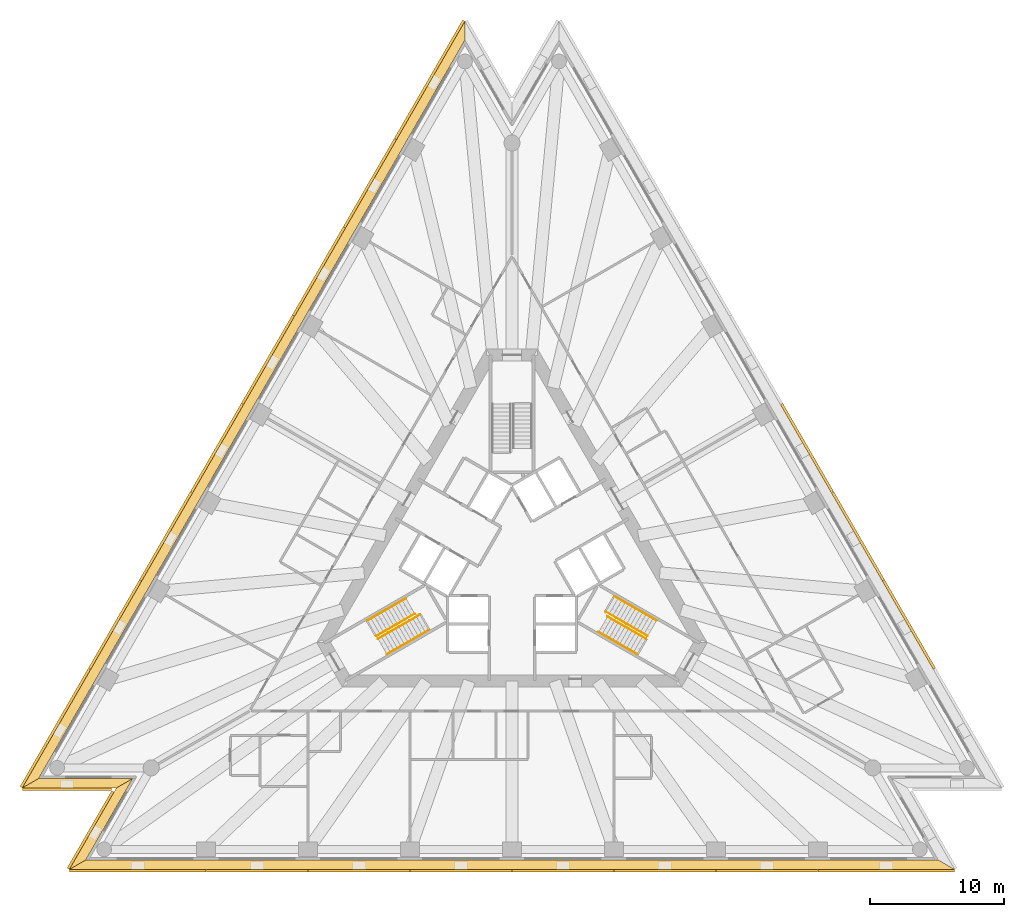
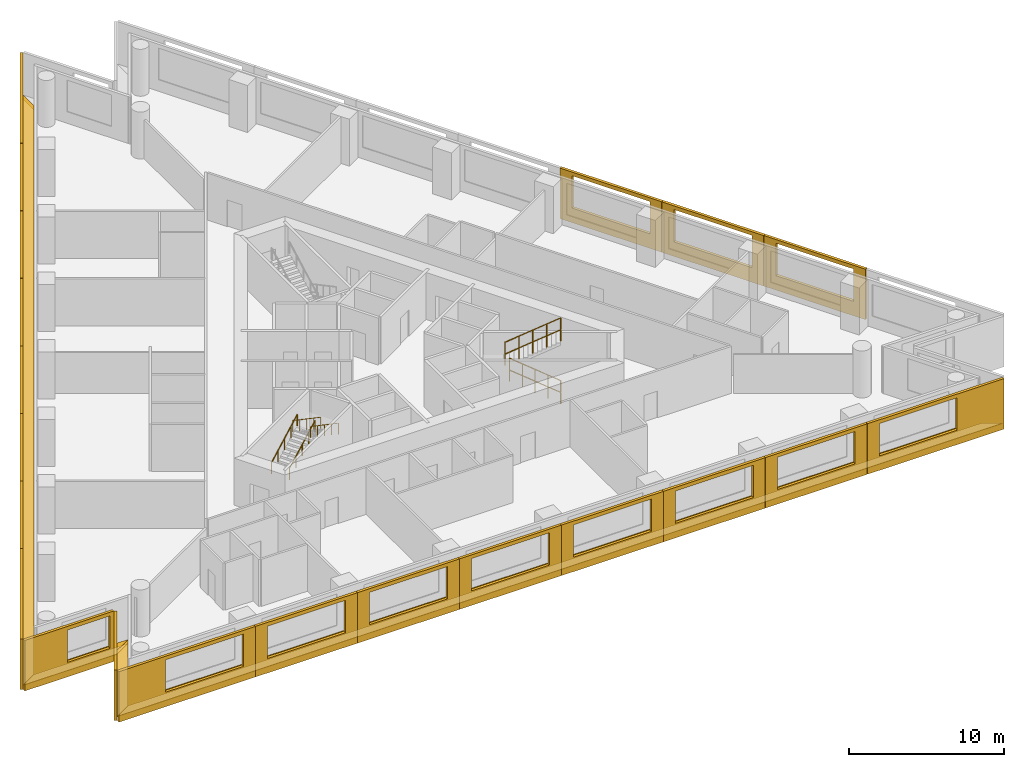
# One storey, part 10 of 11: 25 shading devices, 8 railings, 4 coverings, 2 elements without a shape of their own.
"""IFC4 building model written with IfcOpenShell, lengths in metres."""

from ifc_helpers import new_model, si_unit, direction, frame, origin, origin_2d, place, context, subcontext, project, spatial, polyline, circle, outline, extrude, material, layer, layer_set, layer_usage, type_object, element, aggregate, save


model = new_model("IFC4")

# Units and contexts
model_context = context("Model", 3, precision=1e-05, world=origin(), true_north=direction((0.0, 1.0)))
body_context = subcontext(model_context, "Body", "Model", "MODEL_VIEW")
ifc_project = project(units=[si_unit("LENGTHUNIT", "METRE"), si_unit("AREAUNIT", "SQUARE_METRE"), si_unit("VOLUMEUNIT", "CUBIC_METRE"), si_unit("PLANEANGLEUNIT", "RADIAN"), si_unit("MASSUNIT", "GRAM", prefix="KILO")], contexts=[model_context])

# Site, building, storey
site_placement = place(None, origin())
site = spatial("IfcSite", under=ifc_project, at=site_placement, CompositionType="ELEMENT")
building_placement = place(site_placement, origin())
building = spatial("IfcBuilding", under=site, at=building_placement, Name="Triada Interchange Tower", CompositionType="ELEMENT")
storey_placement = place(building_placement, frame((0.0, 0.0, 39.300048828125)))
storey = spatial("IfcBuildingStorey", under=building, at=storey_placement, Name="L07", CompositionType="ELEMENT", Elevation=39.300048828125)

# Coverings
ifc_material_1 = material(Name="Mineral fire-stop board")
ifc_layer_1 = layer(ifc_material_1, 0.0400390625, Name="Mineral fire-stop board")
ifc_material_2 = material(Name="Intumescent sealant")
ifc_layer_2 = layer(ifc_material_2, 0.010009765625, Name="Intumescent seal")
ifc_layer_set_1 = layer_set([ifc_layer_1, ifc_layer_2], Name="Cavity fire stop")
ifc_layer_usage = layer_usage(ifc_layer_set_1, "AXIS3", "POSITIVE", 0.0)
covering_type = type_object("IfcCoveringType", Name="Cavity fire stop", PredefinedType="INSULATION", material=ifc_layer_set_1)
covering_1_placement = place(storey_placement, origin())
element("IfcCovering", 1, at=covering_1_placement, inside=storey, type_object=covering_type, material=ifc_layer_usage, Name="Cavity fire stop L07 NW", PredefinedType="INSULATION", context=body_context, shape_type="SweptSolid", body=[
    extrude(outline(polyline([(-3.507080078125, 38.72509765625), (-3.507080078125, 40.125), (-36.5029296875, -17.02490234375), (-35.291015625, -16.324951171875), (-3.507080078125, 38.72509765625)])), origin(), (0.0, 0.0, 1.0), 0.050048828125),
])
covering_2_placement = place(storey_placement, origin())
element("IfcCovering", 2, at=covering_2_placement, inside=storey, type_object=covering_type, material=ifc_layer_usage, Name="Cavity fire stop L07 SW-1", PredefinedType="INSULATION", context=body_context, shape_type="SweptSolid", body=[
    extrude(outline(polyline([(-35.291015625, -16.324951171875), (-36.5029296875, -17.02490234375), (-29.488037109375, -17.02490234375), (-28.27587890625, -16.324951171875), (-35.291015625, -16.324951171875)])), origin(), (0.0, 0.0, 1.0), 0.050048828125),
])
covering_3_placement = place(storey_placement, origin())
element("IfcCovering", 3, at=covering_3_placement, inside=storey, type_object=covering_type, material=ifc_layer_usage, Name="Cavity fire stop L07 SW-2", PredefinedType="INSULATION", context=body_context, shape_type="SweptSolid", body=[
    extrude(outline(polyline([(-28.27587890625, -16.324951171875), (-29.488037109375, -17.02490234375), (-32.9951171875, -23.10009765625), (-31.782958984375, -22.39990234375), (-28.27587890625, -16.324951171875)])), origin(), (0.0, 0.0, 1.0), 0.050048828125),
])
covering_4_placement = place(storey_placement, origin())
element("IfcCovering", 4, at=covering_4_placement, inside=storey, type_object=covering_type, material=ifc_layer_usage, Name="Cavity fire stop L07 S", PredefinedType="INSULATION", context=body_context, shape_type="SweptSolid", body=[
    extrude(outline(polyline([(-31.782958984375, -22.39990234375), (-32.9951171875, -23.10009765625), (32.9951171875, -23.10009765625), (31.782958984375, -22.39990234375), (-31.782958984375, -22.39990234375)])), origin(), (0.0, 0.0, 1.0), 0.050048828125),
])

# Shading devices
ifc_material_3 = material(Name="Aluminium louvre", Category="aluminium")
shading_device_type_1 = type_object("IfcShadingDeviceType", Name="Cavity louvre grille", PredefinedType="JALOUSIE", material=ifc_material_3)
shading_device_1_placement = place(storey_placement, frame((0.0, 0.0, 0.050048828125)))
element("IfcShadingDevice", 5, at=shading_device_1_placement, inside=storey, type_object=shading_device_type_1, Name="Cavity louvre grille L07 NW", PredefinedType="JALOUSIE", context=body_context, shape_type="SweptSolid", body=[
    extrude(outline(polyline([(-3.507080078125, 38.72509765625), (-3.507080078125, 40.125), (-36.5029296875, -17.02490234375), (-35.291015625, -16.324951171875), (-3.507080078125, 38.72509765625)])), origin(), (0.0, 0.0, 1.0), 0.2998046875),
])
shading_device_2_placement = place(storey_placement, frame((0.0, 0.0, 0.050048828125)))
element("IfcShadingDevice", 6, at=shading_device_2_placement, inside=storey, type_object=shading_device_type_1, Name="Cavity louvre grille L07 SW-1", PredefinedType="JALOUSIE", context=body_context, shape_type="SweptSolid", body=[
    extrude(outline(polyline([(-35.291015625, -16.324951171875), (-36.5029296875, -17.02490234375), (-29.488037109375, -17.02490234375), (-28.27587890625, -16.324951171875), (-35.291015625, -16.324951171875)])), origin(), (0.0, 0.0, 1.0), 0.2998046875),
])
shading_device_3_placement = place(storey_placement, frame((0.0, 0.0, 0.050048828125)))
element("IfcShadingDevice", 7, at=shading_device_3_placement, inside=storey, type_object=shading_device_type_1, Name="Cavity louvre grille L07 SW-2", PredefinedType="JALOUSIE", context=body_context, shape_type="SweptSolid", body=[
    extrude(outline(polyline([(-28.27587890625, -16.324951171875), (-29.488037109375, -17.02490234375), (-32.9951171875, -23.10009765625), (-31.782958984375, -22.39990234375), (-28.27587890625, -16.324951171875)])), origin(), (0.0, 0.0, 1.0), 0.2998046875),
])
shading_device_4_placement = place(storey_placement, frame((0.0, 0.0, 0.050048828125)))
element("IfcShadingDevice", 8, at=shading_device_4_placement, inside=storey, type_object=shading_device_type_1, Name="Cavity louvre grille L07 S", PredefinedType="JALOUSIE", context=body_context, shape_type="SweptSolid", body=[
    extrude(outline(polyline([(-31.782958984375, -22.39990234375), (-32.9951171875, -23.10009765625), (32.9951171875, -23.10009765625), (31.782958984375, -22.39990234375), (-31.782958984375, -22.39990234375)])), origin(), (0.0, 0.0, 1.0), 0.2998046875),
])
ifc_material_4 = material(Name="Concrete C50/60 precast", Category="concrete")
ifc_layer_3 = layer(ifc_material_4, 0.02001953125, Name="Exposed aggregate face")
ifc_layer_4 = layer(ifc_material_4, 0.179931640625, Name="Precast concrete screen")
ifc_layer_set_2 = layer_set([ifc_layer_3, ifc_layer_4], Name="Outer skin screen panel 3980")
shading_device_type_2 = type_object("IfcShadingDeviceType", Name="Outer skin screen panel 3980", PredefinedType="SHUTTER", material=ifc_layer_set_2)
shading_device_5_placement = place(storey_placement, frame((-3.511962890625, 40.115966796875, -0.2900390625), z_axis=(0.0, 0.0, 1.0), x_axis=(-0.500026996568, -0.866009816748, 0.0)))
element("IfcShadingDevice", 9, at=shading_device_5_placement, inside=storey, type_object=shading_device_type_2, Name="Outer skin screen panel L07 01", PredefinedType="SHUTTER", context=body_context, shape_type="SweptSolid", body=[
    extrude(outline(polyline([(0.0, 0.0), (10.177734375, 0.0), (10.177734375, 3.97998046875), (0.0, 3.97998046875), (0.0, 0.0)]), holes=[polyline([(3.487548828125, 1.139892578125), (3.487548828125, 3.68994140625), (9.28759765625, 3.68994140625), (9.28759765625, 1.139892578125), (3.487548828125, 1.139892578125)])]), frame((0.0, 0.0, 0.0), z_axis=(0.0, -1.0, 0.0), x_axis=(1.0, 0.0, 0.0)), (0.0, 0.0, 1.0), 0.199951171875),
])
shading_device_6_placement = place(storey_placement, frame((-8.611083984375, 31.284912109375, -0.2900390625), z_axis=(0.0, 0.0, 1.0), x_axis=(-0.500008712905, -0.866020373328, 0.0)))
element("IfcShadingDevice", 10, at=shading_device_6_placement, inside=storey, type_object=shading_device_type_2, Name="Outer skin screen panel L07 02", PredefinedType="SHUTTER", context=body_context, shape_type="SweptSolid", body=[
    extrude(outline(polyline([(0.0, 0.0), (7.579345703125, 0.0), (7.579345703125, 3.97998046875), (0.0, 3.97998046875), (0.0, 0.0)]), holes=[polyline([(0.89013671875, 1.139892578125), (0.89013671875, 3.68994140625), (6.690185546875, 3.68994140625), (6.690185546875, 1.139892578125), (0.89013671875, 1.139892578125)])]), frame((0.0, 0.0, 0.0), z_axis=(0.0, -1.0, 0.0), x_axis=(1.0, 0.0, 0.0)), (0.0, 0.0, 1.0), 0.199951171875),
])
shading_device_7_placement = place(storey_placement, frame((-12.410888671875, 24.7041015625, -0.2900390625), z_axis=(0.0, 0.0, 1.0), x_axis=(-0.499922287265, -0.866070266604, 0.0)))
element("IfcShadingDevice", 11, at=shading_device_7_placement, inside=storey, type_object=shading_device_type_2, Name="Outer skin screen panel L07 03", PredefinedType="SHUTTER", context=body_context, shape_type="SweptSolid", body=[
    extrude(outline(polyline([(0.0, 0.0), (7.579345703125, 0.0), (7.579345703125, 3.97998046875), (0.0, 3.97998046875), (0.0, 0.0)]), holes=[polyline([(0.8896484375, 1.139892578125), (0.8896484375, 3.68994140625), (6.689697265625, 3.68994140625), (6.689697265625, 1.139892578125), (0.8896484375, 1.139892578125)])]), frame((0.0, 0.0, 0.0), z_axis=(0.0, -1.0, 0.0), x_axis=(1.0, 0.0, 0.0)), (0.0, 0.0, 1.0), 0.199951171875),
])
shading_device_8_placement = place(storey_placement, frame((-16.2099609375, 18.123046875, -0.2900390625), z_axis=(0.0, 0.0, 1.0), x_axis=(-0.500032870163, -0.866006425355, 0.0)))
element("IfcShadingDevice", 12, at=shading_device_8_placement, inside=storey, type_object=shading_device_type_2, Name="Outer skin screen panel L07 04", PredefinedType="SHUTTER", context=body_context, shape_type="SweptSolid", body=[
    extrude(outline(polyline([(0.0, 0.0), (7.57958984375, 0.0), (7.57958984375, 3.97998046875), (0.0, 3.97998046875), (0.0, 0.0)]), holes=[polyline([(0.889404296875, 1.139892578125), (0.889404296875, 3.68994140625), (6.689208984375, 3.68994140625), (6.689208984375, 1.139892578125), (0.889404296875, 1.139892578125)])]), frame((0.0, 0.0, 0.0), z_axis=(0.0, -1.0, 0.0), x_axis=(1.0, 0.0, 0.0)), (0.0, 0.0, 1.0), 0.199951171875),
])
shading_device_9_placement = place(storey_placement, frame((-20.010009765625, 11.541015625, -0.2900390625), z_axis=(0.0, 0.0, 1.0), x_axis=(-0.500032870163, -0.866006425355, 0.0)))
element("IfcShadingDevice", 13, at=shading_device_9_placement, inside=storey, type_object=shading_device_type_2, Name="Outer skin screen panel L07 05", PredefinedType="SHUTTER", context=body_context, shape_type="SweptSolid", body=[
    extrude(outline(polyline([(0.0, 0.0), (7.57958984375, 0.0), (7.57958984375, 3.97998046875), (0.0, 3.97998046875), (0.0, 0.0)]), holes=[polyline([(0.889892578125, 1.139892578125), (0.889892578125, 3.68994140625), (6.68994140625, 3.68994140625), (6.68994140625, 1.139892578125), (0.889892578125, 1.139892578125)])]), frame((0.0, 0.0, 0.0), z_axis=(0.0, -1.0, 0.0), x_axis=(1.0, 0.0, 0.0)), (0.0, 0.0, 1.0), 0.199951171875),
])
shading_device_10_placement = place(storey_placement, frame((-23.81005859375, 4.9599609375, -0.2900390625), z_axis=(0.0, 0.0, 1.0), x_axis=(-0.500032870163, -0.866006425355, 0.0)))
element("IfcShadingDevice", 14, at=shading_device_10_placement, inside=storey, type_object=shading_device_type_2, Name="Outer skin screen panel L07 06", PredefinedType="SHUTTER", context=body_context, shape_type="SweptSolid", body=[
    extrude(outline(polyline([(0.0, 0.0), (7.57958984375, 0.0), (7.57958984375, 3.97998046875), (0.0, 3.97998046875), (0.0, 0.0)]), holes=[polyline([(0.889404296875, 1.139892578125), (0.889404296875, 3.68994140625), (6.689453125, 3.68994140625), (6.689453125, 1.139892578125), (0.889404296875, 1.139892578125)])]), frame((0.0, 0.0, 0.0), z_axis=(0.0, -1.0, 0.0), x_axis=(1.0, 0.0, 0.0)), (0.0, 0.0, 1.0), 0.199951171875),
])
shading_device_11_placement = place(storey_placement, frame((-27.610107421875, -1.62109375, -0.2900390625), z_axis=(0.0, 0.0, 1.0), x_axis=(-0.4999120722, -0.866076162972, 0.0)))
element("IfcShadingDevice", 15, at=shading_device_11_placement, inside=storey, type_object=shading_device_type_2, Name="Outer skin screen panel L07 07", PredefinedType="SHUTTER", context=body_context, shape_type="SweptSolid", body=[
    extrude(outline(polyline([(0.0, 0.0), (7.578857421875, 0.0), (7.578857421875, 3.97998046875), (0.0, 3.97998046875), (0.0, 0.0)]), holes=[polyline([(0.89013671875, 1.139892578125), (0.89013671875, 3.68994140625), (6.690185546875, 3.68994140625), (6.690185546875, 1.139892578125), (0.89013671875, 1.139892578125)])]), frame((0.0, 0.0, 0.0), z_axis=(0.0, -1.0, 0.0), x_axis=(1.0, 0.0, 0.0)), (0.0, 0.0, 1.0), 0.199951171875),
])
shading_device_12_placement = place(storey_placement, frame((-31.408935546875, -8.201904296875, -0.2900390625), z_axis=(0.0, 0.0, 1.0), x_axis=(-0.500016609325, -0.866015814174, 0.0)))
element("IfcShadingDevice", 16, at=shading_device_12_placement, inside=storey, type_object=shading_device_type_2, Name="Outer skin screen panel L07 08", PredefinedType="SHUTTER", context=body_context, shape_type="SweptSolid", body=[
    extrude(outline(polyline([(0.0, 0.0), (10.177978515625, 0.0), (10.177978515625, 3.97998046875), (0.0, 3.97998046875), (0.0, 0.0)]), holes=[polyline([(0.8896484375, 1.139892578125), (0.8896484375, 3.68994140625), (6.689697265625, 3.68994140625), (6.689697265625, 1.139892578125), (0.8896484375, 1.139892578125)])]), frame((0.0, 0.0, 0.0), z_axis=(0.0, -1.0, 0.0), x_axis=(1.0, 0.0, 0.0)), (0.0, 0.0, 1.0), 0.199951171875),
])
shading_device_13_placement = place(storey_placement, frame((-36.492919921875, -17.02490234375, -0.2900390625), z_axis=(0.0, 0.0, 1.0), x_axis=(1.0, 0.0, 0.0)))
element("IfcShadingDevice", 17, at=shading_device_13_placement, inside=storey, type_object=shading_device_type_2, Name="Outer skin screen panel L07 09", PredefinedType="SHUTTER", context=body_context, shape_type="SweptSolid", body=[
    extrude(outline(polyline([(0.0, 0.0), (6.64794921875, 0.0), (6.64794921875, 3.97998046875), (0.0, 3.97998046875), (0.0, 0.0)]), holes=[polyline([(3.175048828125, 1.139892578125), (3.175048828125, 3.68994140625), (6.347900390625, 3.68994140625), (6.347900390625, 1.139892578125), (3.175048828125, 1.139892578125)])]), frame((0.0, 0.0, 0.0), z_axis=(0.0, -1.0, 0.0), x_axis=(1.0, 0.0, 0.0)), (0.0, 0.0, 1.0), 0.199951171875),
])
shading_device_14_placement = place(storey_placement, frame((-29.666015625, -17.333984375, -0.2900390625), z_axis=(0.0, 0.0, 1.0), x_axis=(-0.50001386285, -0.866017399916, 0.0)))
element("IfcShadingDevice", 18, at=shading_device_14_placement, inside=storey, type_object=shading_device_type_2, Name="Outer skin screen panel L07 10", PredefinedType="SHUTTER", context=body_context, shape_type="SweptSolid", body=[
    extrude(outline(polyline([(0.0, 0.0), (6.647705078125, 0.0), (6.647705078125, 3.97998046875), (0.0, 3.97998046875), (0.0, 0.0)]), holes=[polyline([(0.300048828125, 1.139892578125), (0.300048828125, 3.68994140625), (2.9580078125, 3.68994140625), (2.9580078125, 1.139892578125), (0.300048828125, 1.139892578125)])]), frame((0.0, 0.0, 0.0), z_axis=(0.0, -1.0, 0.0), x_axis=(1.0, 0.0, 0.0)), (0.0, 0.0, 1.0), 0.199951171875),
])
shading_device_15_placement = place(storey_placement, frame((-32.985107421875, -23.10009765625, -0.2900390625), z_axis=(0.0, 0.0, 1.0), x_axis=(1.0, 0.0, 0.0)))
element("IfcShadingDevice", 19, at=shading_device_15_placement, inside=storey, type_object=shading_device_type_2, Name="Outer skin screen panel L07 11", PredefinedType="SHUTTER", context=body_context, shape_type="SweptSolid", body=[
    extrude(outline(polyline([(0.0, 0.0), (10.177001953125, 0.0), (10.177001953125, 3.97998046875), (0.0, 3.97998046875), (0.0, 0.0)]), holes=[polyline([(3.488037109375, 1.139892578125), (3.488037109375, 3.68994140625), (9.2880859375, 3.68994140625), (9.2880859375, 1.139892578125), (3.488037109375, 1.139892578125)])]), frame((0.0, 0.0, 0.0), z_axis=(0.0, -1.0, 0.0), x_axis=(1.0, 0.0, 0.0)), (0.0, 0.0, 1.0), 0.199951171875),
])
shading_device_16_placement = place(storey_placement, frame((-22.7880859375, -23.10009765625, -0.2900390625), z_axis=(0.0, 0.0, 1.0), x_axis=(1.0, 0.0, 0.0)))
element("IfcShadingDevice", 20, at=shading_device_16_placement, inside=storey, type_object=shading_device_type_2, Name="Outer skin screen panel L07 12", PredefinedType="SHUTTER", context=body_context, shape_type="SweptSolid", body=[
    extrude(outline(polyline([(0.0, 0.0), (7.580078125, 0.0), (7.580078125, 3.97998046875), (0.0, 3.97998046875), (0.0, 0.0)]), holes=[polyline([(0.889892578125, 1.139892578125), (0.889892578125, 3.68994140625), (6.689697265625, 3.68994140625), (6.689697265625, 1.139892578125), (0.889892578125, 1.139892578125)])]), frame((0.0, 0.0, 0.0), z_axis=(0.0, -1.0, 0.0), x_axis=(1.0, 0.0, 0.0)), (0.0, 0.0, 1.0), 0.199951171875),
])
shading_device_17_placement = place(storey_placement, frame((-15.18798828125, -23.10009765625, -0.2900390625), z_axis=(0.0, 0.0, 1.0), x_axis=(1.0, 0.0, 0.0)))
element("IfcShadingDevice", 21, at=shading_device_17_placement, inside=storey, type_object=shading_device_type_2, Name="Outer skin screen panel L07 13", PredefinedType="SHUTTER", context=body_context, shape_type="SweptSolid", body=[
    extrude(outline(polyline([(0.0, 0.0), (7.5791015625, 0.0), (7.5791015625, 3.97998046875), (0.0, 3.97998046875), (0.0, 0.0)]), holes=[polyline([(0.889404296875, 1.139892578125), (0.889404296875, 3.68994140625), (6.689453125, 3.68994140625), (6.689453125, 1.139892578125), (0.889404296875, 1.139892578125)])]), frame((0.0, 0.0, 0.0), z_axis=(0.0, -1.0, 0.0), x_axis=(1.0, 0.0, 0.0)), (0.0, 0.0, 1.0), 0.199951171875),
])
shading_device_18_placement = place(storey_placement, frame((-7.589111328125, -23.10009765625, -0.2900390625), z_axis=(0.0, 0.0, 1.0), x_axis=(1.0, 0.0, 0.0)))
element("IfcShadingDevice", 22, at=shading_device_18_placement, inside=storey, type_object=shading_device_type_2, Name="Outer skin screen panel L07 14", PredefinedType="SHUTTER", context=body_context, shape_type="SweptSolid", body=[
    extrude(outline(polyline([(0.0, 0.0), (7.5791015625, 0.0), (7.5791015625, 3.97998046875), (0.0, 3.97998046875), (0.0, 0.0)]), holes=[polyline([(0.88916015625, 1.139892578125), (0.88916015625, 3.68994140625), (6.689208984375, 3.68994140625), (6.689208984375, 1.139892578125), (0.88916015625, 1.139892578125)])]), frame((0.0, 0.0, 0.0), z_axis=(0.0, -1.0, 0.0), x_axis=(1.0, 0.0, 0.0)), (0.0, 0.0, 1.0), 0.199951171875),
])
shading_device_19_placement = place(storey_placement, frame((0.010009765625, -23.10009765625, -0.2900390625), z_axis=(0.0, 0.0, 1.0), x_axis=(1.0, 0.0, 0.0)))
element("IfcShadingDevice", 23, at=shading_device_19_placement, inside=storey, type_object=shading_device_type_2, Name="Outer skin screen panel L07 15", PredefinedType="SHUTTER", context=body_context, shape_type="SweptSolid", body=[
    extrude(outline(polyline([(0.0, 0.0), (7.5791015625, 0.0), (7.5791015625, 3.97998046875), (0.0, 3.97998046875), (0.0, 0.0)]), holes=[polyline([(0.889892578125, 1.139892578125), (0.889892578125, 3.68994140625), (6.68994140625, 3.68994140625), (6.68994140625, 1.139892578125), (0.889892578125, 1.139892578125)])]), frame((0.0, 0.0, 0.0), z_axis=(0.0, -1.0, 0.0), x_axis=(1.0, 0.0, 0.0)), (0.0, 0.0, 1.0), 0.199951171875),
])
shading_device_20_placement = place(storey_placement, frame((7.60888671875, -23.10009765625, -0.2900390625), z_axis=(0.0, 0.0, 1.0), x_axis=(1.0, 0.0, 0.0)))
element("IfcShadingDevice", 24, at=shading_device_20_placement, inside=storey, type_object=shading_device_type_2, Name="Outer skin screen panel L07 16", PredefinedType="SHUTTER", context=body_context, shape_type="SweptSolid", body=[
    extrude(outline(polyline([(0.0, 0.0), (7.580078125, 0.0), (7.580078125, 3.97998046875), (0.0, 3.97998046875), (0.0, 0.0)]), holes=[polyline([(0.8896484375, 1.139892578125), (0.8896484375, 3.68994140625), (6.689697265625, 3.68994140625), (6.689697265625, 1.139892578125), (0.8896484375, 1.139892578125)])]), frame((0.0, 0.0, 0.0), z_axis=(0.0, -1.0, 0.0), x_axis=(1.0, 0.0, 0.0)), (0.0, 0.0, 1.0), 0.199951171875),
])
shading_device_21_placement = place(storey_placement, frame((15.2080078125, -23.10009765625, -0.2900390625), z_axis=(0.0, 0.0, 1.0), x_axis=(1.0, 0.0, 0.0)))
element("IfcShadingDevice", 25, at=shading_device_21_placement, inside=storey, type_object=shading_device_type_2, Name="Outer skin screen panel L07 17", PredefinedType="SHUTTER", context=body_context, shape_type="SweptSolid", body=[
    extrude(outline(polyline([(0.0, 0.0), (7.580078125, 0.0), (7.580078125, 3.97998046875), (0.0, 3.97998046875), (0.0, 0.0)]), holes=[polyline([(0.889404296875, 1.139892578125), (0.889404296875, 3.68994140625), (6.689453125, 3.68994140625), (6.689453125, 1.139892578125), (0.889404296875, 1.139892578125)])]), frame((0.0, 0.0, 0.0), z_axis=(0.0, -1.0, 0.0), x_axis=(1.0, 0.0, 0.0)), (0.0, 0.0, 1.0), 0.199951171875),
])
shading_device_22_placement = place(storey_placement, frame((22.80810546875, -23.10009765625, -0.2900390625), z_axis=(0.0, 0.0, 1.0), x_axis=(1.0, 0.0, 0.0)))
element("IfcShadingDevice", 26, at=shading_device_22_placement, inside=storey, type_object=shading_device_type_2, Name="Outer skin screen panel L07 18", PredefinedType="SHUTTER", context=body_context, shape_type="SweptSolid", body=[
    extrude(outline(polyline([(0.0, 0.0), (10.177001953125, 0.0), (10.177001953125, 3.97998046875), (0.0, 3.97998046875), (0.0, 0.0)]), holes=[polyline([(0.889404296875, 1.139892578125), (0.889404296875, 3.68994140625), (6.689208984375, 3.68994140625), (6.689208984375, 1.139892578125), (0.889404296875, 1.139892578125)])]), frame((0.0, 0.0, 0.0), z_axis=(0.0, -1.0, 0.0), x_axis=(1.0, 0.0, 0.0)), (0.0, 0.0, 1.0), 0.199951171875),
])
shading_device_23_placement = place(storey_placement, frame((31.39892578125, -8.18505859375, -0.2900390625), z_axis=(0.0, 0.0, 1.0), x_axis=(-0.4999120722, 0.866076162972, 0.0)))
element("IfcShadingDevice", 27, at=shading_device_23_placement, inside=storey, type_object=shading_device_type_2, Name="Outer skin screen panel L07 22", PredefinedType="SHUTTER", context=body_context, shape_type="SweptSolid", body=[
    extrude(outline(polyline([(0.0, 0.0), (7.578857421875, 0.0), (7.578857421875, 3.97998046875), (0.0, 3.97998046875), (0.0, 0.0)]), holes=[polyline([(0.889892578125, 1.139892578125), (0.889892578125, 3.68994140625), (6.689697265625, 3.68994140625), (6.689697265625, 1.139892578125), (0.889892578125, 1.139892578125)])]), frame((0.0, 0.0, 0.0), z_axis=(0.0, -1.0, 0.0), x_axis=(1.0, 0.0, 0.0)), (0.0, 0.0, 1.0), 0.199951171875),
])
shading_device_24_placement = place(storey_placement, frame((27.60009765625, -1.60400390625, -0.2900390625), z_axis=(0.0, 0.0, 1.0), x_axis=(-0.500032870163, 0.866006425355, 0.0)))
element("IfcShadingDevice", 28, at=shading_device_24_placement, inside=storey, type_object=shading_device_type_2, Name="Outer skin screen panel L07 23", PredefinedType="SHUTTER", context=body_context, shape_type="SweptSolid", body=[
    extrude(outline(polyline([(0.0, 0.0), (7.57958984375, 0.0), (7.57958984375, 3.97998046875), (0.0, 3.97998046875), (0.0, 0.0)]), holes=[polyline([(0.889404296875, 1.139892578125), (0.889404296875, 3.68994140625), (6.689453125, 3.68994140625), (6.689453125, 1.139892578125), (0.889404296875, 1.139892578125)])]), frame((0.0, 0.0, 0.0), z_axis=(0.0, -1.0, 0.0), x_axis=(1.0, 0.0, 0.0)), (0.0, 0.0, 1.0), 0.199951171875),
])
shading_device_25_placement = place(storey_placement, frame((23.800048828125, 4.97705078125, -0.2900390625), z_axis=(0.0, 0.0, 1.0), x_axis=(-0.500032870163, 0.866006425355, 0.0)))
element("IfcShadingDevice", 29, at=shading_device_25_placement, inside=storey, type_object=shading_device_type_2, Name="Outer skin screen panel L07 24", PredefinedType="SHUTTER", context=body_context, shape_type="SweptSolid", body=[
    extrude(outline(polyline([(0.0, 0.0), (7.57958984375, 0.0), (7.57958984375, 3.97998046875), (0.0, 3.97998046875), (0.0, 0.0)]), holes=[polyline([(0.889892578125, 1.139892578125), (0.889892578125, 3.68994140625), (6.68994140625, 3.68994140625), (6.68994140625, 1.139892578125), (0.889892578125, 1.139892578125)])]), frame((0.0, 0.0, 0.0), z_axis=(0.0, -1.0, 0.0), x_axis=(1.0, 0.0, 0.0)), (0.0, 0.0, 1.0), 0.199951171875),
])

# Stair, railings
ifc_material_5 = material(Name="Concrete C35/45", Category="concrete")
stair_type = type_object("IfcStairType", Name="HALF TURN STAIR 1400", PredefinedType="HALF_TURN_STAIR", material=ifc_material_5)
stair_1_placement = place(storey_placement, origin())
stair_1 = element("IfcStair", 30, at=stair_1_placement, inside=storey, type_object=stair_type, Name="Exit stair S06-2", PredefinedType="HALF_TURN_STAIR")
ifc_material_6 = material(Name="Stainless steel 1.4301", Category="steel")
railing_type = type_object("IfcRailingType", Name="STAIR HANDRAIL 900", PredefinedType="HANDRAIL", material=ifc_material_6)
railing_1_placement = place(storey_placement, frame((-10.77099609375, -4.5439453125, 0.159912109375)))
railing_1 = element("IfcRailing", 31, at=railing_1_placement, type_object=railing_type, Name="Handrail S06-2 1W", PredefinedType="HANDRAIL", context=body_context, shape_type="SweptSolid", body=[
    extrude(circle(Radius=0.02392578125, at=origin_2d()), frame((0.0, 0.0, 0.8759765625), z_axis=(0.764150854273, 0.441152526326, 0.470593158077), x_axis=(-0.499974350878, 0.866040211805, 0.0)), (0.0, 0.0, 1.0), 3.739990234375),
    extrude(circle(Radius=0.02099609375, at=origin_2d()), origin(), (0.0, 0.0, 1.0), 0.851806640625),
    extrude(circle(Radius=0.02099609375, at=origin_2d()), frame((0.71435546875, 0.41259765625, 0.43994140625)), (0.0, 0.0, 1.0), 0.851806640625),
    extrude(circle(Radius=0.02099609375, at=origin_2d()), frame((1.428955078125, 0.824951171875, 0.8798828125)), (0.0, 0.0, 1.0), 0.851806640625),
    extrude(circle(Radius=0.02099609375, at=origin_2d()), frame((2.1435546875, 1.2373046875, 1.320068359375)), (0.0, 0.0, 1.0), 0.851806640625),
    extrude(circle(Radius=0.02099609375, at=origin_2d()), frame((2.85791015625, 1.64990234375, 1.760009765625)), (0.0, 0.0, 1.0), 0.851806640625),
])
railing_2_placement = place(storey_placement, frame((-10.10595703125, -5.696044921875, 0.159912109375)))
railing_2 = element("IfcRailing", 32, at=railing_2_placement, type_object=railing_type, Name="Handrail S06-2 1C", PredefinedType="HANDRAIL", context=body_context, shape_type="SweptSolid", body=[
    extrude(circle(Radius=0.02392578125, at=origin_2d()), frame((0.0, 0.0, 0.8759765625), z_axis=(0.76412884773, 0.441205098395, 0.470579605611), x_axis=(-0.50002983664, 0.866008176907, 0.0)), (0.0, 0.0, 1.0), 3.739990234375),
    extrude(circle(Radius=0.02099609375, at=origin_2d()), origin(), (0.0, 0.0, 1.0), 0.851806640625),
    extrude(circle(Radius=0.02099609375, at=origin_2d()), frame((0.71435546875, 0.41259765625, 0.43994140625)), (0.0, 0.0, 1.0), 0.851806640625),
    extrude(circle(Radius=0.02099609375, at=origin_2d()), frame((1.428955078125, 0.8251953125, 0.8798828125)), (0.0, 0.0, 1.0), 0.851806640625),
    extrude(circle(Radius=0.02099609375, at=origin_2d()), frame((2.1435546875, 1.237548828125, 1.320068359375)), (0.0, 0.0, 1.0), 0.851806640625),
    extrude(circle(Radius=0.02099609375, at=origin_2d()), frame((2.85791015625, 1.650146484375, 1.760009765625)), (0.0, 0.0, 1.0), 0.851806640625),
])
railing_3_placement = place(storey_placement, frame((-6.202880859375, -5.256103515625, 2.079833984375)))
railing_3 = element("IfcRailing", 33, at=railing_3_placement, type_object=railing_type, Name="Handrail S06-2 2W", PredefinedType="HANDRAIL", context=body_context, shape_type="SweptSolid", body=[
    extrude(circle(Radius=0.02392578125, at=origin_2d()), frame((0.0, 0.0, 0.8759765625), z_axis=(-0.764189758314, -0.441090424232, 0.470588196769), x_axis=(0.499902469156, -0.866081705922, 0.0)), (0.0, 0.0, 1.0), 4.080322265625),
    extrude(circle(Radius=0.02099609375, at=origin_2d()), origin(), (0.0, 0.0, 1.0), 0.851806640625),
    extrude(circle(Radius=0.02099609375, at=origin_2d()), frame((-0.779541015625, -0.449951171875, 0.47998046875)), (0.0, 0.0, 1.0), 0.851806640625),
    extrude(circle(Radius=0.02099609375, at=origin_2d()), frame((-1.55908203125, -0.89990234375, 0.9599609375)), (0.0, 0.0, 1.0), 0.851806640625),
    extrude(circle(Radius=0.02099609375, at=origin_2d()), frame((-2.338623046875, -1.349853515625, 1.440185546875)), (0.0, 0.0, 1.0), 0.851806640625),
    extrude(circle(Radius=0.02099609375, at=origin_2d()), frame((-3.1181640625, -1.7998046875, 1.920166015625)), (0.0, 0.0, 1.0), 0.851806640625),
])
railing_4_placement = place(storey_placement, frame((-6.867919921875, -4.10400390625, 2.079833984375)))
railing_4 = element("IfcRailing", 34, at=railing_4_placement, type_object=railing_type, Name="Handrail S06-2 2C", PredefinedType="HANDRAIL", context=body_context, shape_type="SweptSolid", body=[
    extrude(circle(Radius=0.02392578125, at=origin_2d()), frame((0.0, 0.0, 0.8759765625), z_axis=(-0.764169589359, -0.441138614339, 0.470575776723), x_axis=(0.49995333141, -0.866052346231, 0.0)), (0.0, 0.0, 1.0), 4.08056640625),
    extrude(circle(Radius=0.02099609375, at=origin_2d()), origin(), (0.0, 0.0, 1.0), 0.851806640625),
    extrude(circle(Radius=0.02099609375, at=origin_2d()), frame((-0.779541015625, -0.449951171875, 0.47998046875)), (0.0, 0.0, 1.0), 0.851806640625),
    extrude(circle(Radius=0.02099609375, at=origin_2d()), frame((-1.55908203125, -0.89990234375, 0.9599609375)), (0.0, 0.0, 1.0), 0.851806640625),
    extrude(circle(Radius=0.02099609375, at=origin_2d()), frame((-2.338623046875, -1.35009765625, 1.440185546875)), (0.0, 0.0, 1.0), 0.851806640625),
    extrude(circle(Radius=0.02099609375, at=origin_2d()), frame((-3.1181640625, -1.800048828125, 1.920166015625)), (0.0, 0.0, 1.0), 0.851806640625),
])
aggregate(stair_1, [railing_1, railing_2, railing_3, railing_4])

stair_2_placement = place(storey_placement, origin())
stair_2 = element("IfcStair", 35, at=stair_2_placement, inside=storey, type_object=stair_type, Name="Exit stair S06-3", PredefinedType="HALF_TURN_STAIR")
railing_5_placement = place(storey_placement, frame((9.321044921875, -7.055908203125, 0.159912109375)))
railing_5 = element("IfcRailing", 36, at=railing_5_placement, type_object=railing_type, Name="Handrail S06-3 1W", PredefinedType="HANDRAIL", context=body_context, shape_type="SweptSolid", body=[
    extrude(circle(Radius=0.02392578125, at=origin_2d()), frame((0.0, 0.0, 0.8759765625), z_axis=(-0.764178012919, 0.441130521168, 0.470569684388), x_axis=(-0.499942318283, -0.866058703778, 0.0)), (0.0, 0.0, 1.0), 3.740234375),
    extrude(circle(Radius=0.02099609375, at=origin_2d()), origin(), (0.0, 0.0, 1.0), 0.851806640625),
    extrude(circle(Radius=0.02099609375, at=origin_2d()), frame((-0.714599609375, 0.41259765625, 0.43994140625)), (0.0, 0.0, 1.0), 0.851806640625),
    extrude(circle(Radius=0.02099609375, at=origin_2d()), frame((-1.42919921875, 0.824951171875, 0.8798828125)), (0.0, 0.0, 1.0), 0.851806640625),
    extrude(circle(Radius=0.02099609375, at=origin_2d()), frame((-2.1435546875, 1.2373046875, 1.320068359375)), (0.0, 0.0, 1.0), 0.851806640625),
    extrude(circle(Radius=0.02099609375, at=origin_2d()), frame((-2.858154296875, 1.64990234375, 1.760009765625)), (0.0, 0.0, 1.0), 0.851806640625),
])
railing_6_placement = place(storey_placement, frame((9.986083984375, -5.904052734375, 0.159912109375)))
railing_6 = element("IfcRailing", 37, at=railing_6_placement, type_object=railing_type, Name="Handrail S06-3 1C", PredefinedType="HANDRAIL", context=body_context, shape_type="SweptSolid", body=[
    extrude(circle(Radius=0.02392578125, at=origin_2d()), frame((0.0, 0.0, 0.8759765625), z_axis=(-0.764156007789, 0.441183091881, 0.47055613395), x_axis=(-0.49999780286, -0.8660266723, 0.0)), (0.0, 0.0, 1.0), 3.740234375),
    extrude(circle(Radius=0.02099609375, at=origin_2d()), origin(), (0.0, 0.0, 1.0), 0.851806640625),
    extrude(circle(Radius=0.02099609375, at=origin_2d()), frame((-0.714599609375, 0.41259765625, 0.43994140625)), (0.0, 0.0, 1.0), 0.851806640625),
    extrude(circle(Radius=0.02099609375, at=origin_2d()), frame((-1.42919921875, 0.8251953125, 0.8798828125)), (0.0, 0.0, 1.0), 0.851806640625),
    extrude(circle(Radius=0.02099609375, at=origin_2d()), frame((-2.1435546875, 1.237548828125, 1.320068359375)), (0.0, 0.0, 1.0), 0.851806640625),
    extrude(circle(Radius=0.02099609375, at=origin_2d()), frame((-2.858154296875, 1.650146484375, 1.760009765625)), (0.0, 0.0, 1.0), 0.851806640625),
])
railing_7_placement = place(storey_placement, frame((7.653076171875, -2.743896484375, 2.079833984375)))
railing_7 = element("IfcRailing", 38, at=railing_7_placement, type_object=railing_type, Name="Handrail S06-3 2W", PredefinedType="HANDRAIL", context=body_context, shape_type="SweptSolid", body=[
    extrude(circle(Radius=0.02392578125, at=origin_2d()), frame((0.0, 0.0, 0.8759765625), z_axis=(0.76414469501, -0.441158784458, 0.470597292793), x_axis=(0.499982693035, 0.866035395735, 0.0)), (0.0, 0.0, 1.0), 4.080322265625),
    extrude(circle(Radius=0.02099609375, at=origin_2d()), origin(), (0.0, 0.0, 1.0), 0.851806640625),
    extrude(circle(Radius=0.02099609375, at=origin_2d()), frame((0.779541015625, -0.449951171875, 0.47998046875)), (0.0, 0.0, 1.0), 0.851806640625),
    extrude(circle(Radius=0.02099609375, at=origin_2d()), frame((1.55908203125, -0.89990234375, 0.9599609375)), (0.0, 0.0, 1.0), 0.851806640625),
    extrude(circle(Radius=0.02099609375, at=origin_2d()), frame((2.33837890625, -1.35009765625, 1.440185546875)), (0.0, 0.0, 1.0), 0.851806640625),
    extrude(circle(Radius=0.02099609375, at=origin_2d()), frame((3.117919921875, -1.800048828125, 1.920166015625)), (0.0, 0.0, 1.0), 0.851806640625),
])
railing_8_placement = place(storey_placement, frame((6.988037109375, -3.89599609375, 2.079833984375)))
railing_8 = element("IfcRailing", 39, at=railing_8_placement, type_object=railing_type, Name="Handrail S06-3 2C", PredefinedType="HANDRAIL", context=body_context, shape_type="SweptSolid", body=[
    extrude(circle(Radius=0.02392578125, at=origin_2d()), frame((0.0, 0.0, 0.8759765625), z_axis=(0.76414469501, -0.441158784458, 0.470597292793), x_axis=(0.499982693035, 0.866035395735, 0.0)), (0.0, 0.0, 1.0), 4.080322265625),
    extrude(circle(Radius=0.02099609375, at=origin_2d()), origin(), (0.0, 0.0, 1.0), 0.851806640625),
    extrude(circle(Radius=0.02099609375, at=origin_2d()), frame((0.779541015625, -0.449951171875, 0.47998046875)), (0.0, 0.0, 1.0), 0.851806640625),
    extrude(circle(Radius=0.02099609375, at=origin_2d()), frame((1.55908203125, -0.89990234375, 0.9599609375)), (0.0, 0.0, 1.0), 0.851806640625),
    extrude(circle(Radius=0.02099609375, at=origin_2d()), frame((2.33837890625, -1.35009765625, 1.440185546875)), (0.0, 0.0, 1.0), 0.851806640625),
    extrude(circle(Radius=0.02099609375, at=origin_2d()), frame((3.117919921875, -1.800048828125, 1.920166015625)), (0.0, 0.0, 1.0), 0.851806640625),
])
aggregate(stair_2, [railing_5, railing_6, railing_7, railing_8])

save(model, "model.ifc")
